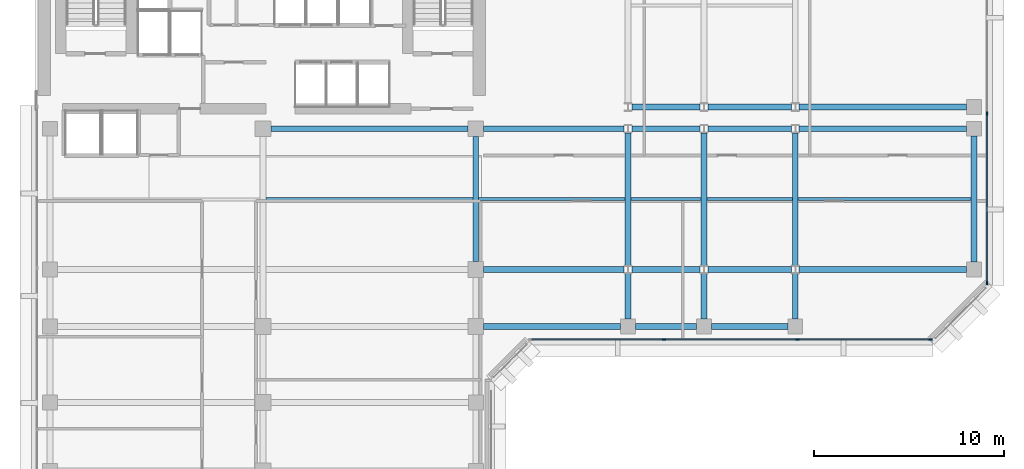
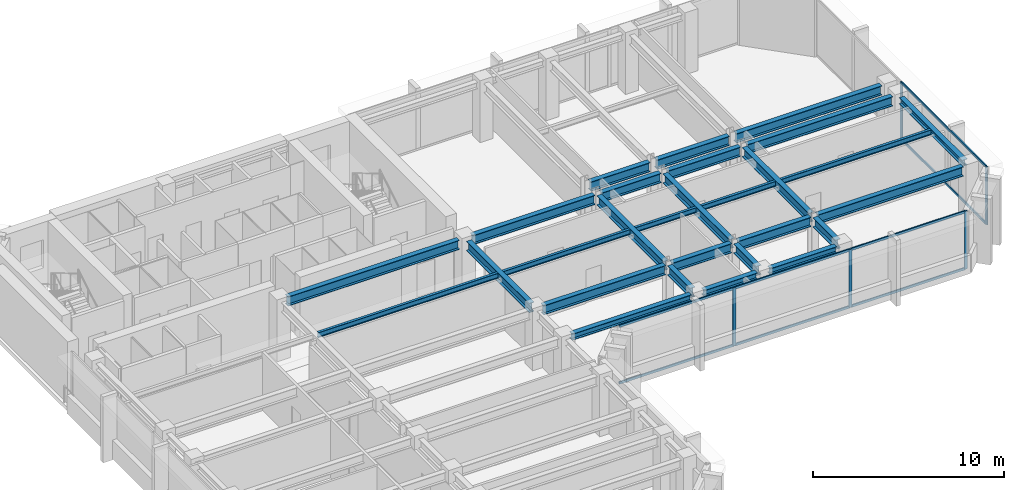
# One storey, part 3 of 12: 28 beams, 13 members, 2 elements without a shape of their own.
"""IFC4 building model written with IfcOpenShell, lengths in metres."""

from ifc_helpers import new_model, si_unit, direction, frame, origin, origin_2d, place, context, subcontext, project, spatial, rectangle, i_section, extrude, material, layer, layer_set, material_profile, profile_set, type_object, element, aggregate, save


model = new_model("IFC4")

# Units and contexts
model_context = context("Model", 3, precision=1e-05, world=origin(), true_north=direction((0.0, 1.0)))
body_context = subcontext(model_context, "Body", "Model", "MODEL_VIEW")
ifc_project = project(units=[si_unit("LENGTHUNIT", "METRE"), si_unit("AREAUNIT", "SQUARE_METRE"), si_unit("VOLUMEUNIT", "CUBIC_METRE"), si_unit("PLANEANGLEUNIT", "RADIAN"), si_unit("MASSUNIT", "GRAM", prefix="KILO")], contexts=[model_context])

# Site, building, storey
site_placement = place(None, origin())
site = spatial("IfcSite", under=ifc_project, at=site_placement, CompositionType="ELEMENT")
building_placement = place(site_placement, origin())
building = spatial("IfcBuilding", under=site, at=building_placement, Name="Kefirva Bronze Tower", CompositionType="ELEMENT")
storey_placement = place(building_placement, frame((0.0, 0.0, 203.280029296875)))
storey = spatial("IfcBuildingStorey", under=building, at=storey_placement, Name="L49", CompositionType="ELEMENT", Elevation=203.280029296875)

# Curtain wall, members
ifc_material_1 = material(Name="Bronze anodised aluminium", Category="aluminium")
ifc_layer = layer(ifc_material_1, 0.179931640625, Name="Bronze anodised aluminium")
ifc_layer_set = layer_set([ifc_layer], Name="Bronze anodised aluminium")
curtain_wall_type = type_object("IfcCurtainWallType", Name="Unitised Bronze Ribbon Curtain Wall Zone 3", PredefinedType="USERDEFINED", material=ifc_layer_set)
curtain_wall_1_placement = place(storey_placement, origin())
curtain_wall_1 = element("IfcCurtainWall", 1, at=curtain_wall_1_placement, inside=storey, type_object=curtain_wall_type, Name="L49 Curtain Wall 2", ObjectType="UNITISED CURTAIN WALL", PredefinedType="USERDEFINED")
ifc_material_profile_1 = material_profile(ifc_material_1, rectangle(XDim=0.074951171875, YDim=0.179931640625, at=origin_2d()), Name="ALU 75x180")
ifc_profile_set_1 = profile_set([ifc_material_profile_1], Name="Bronze anodised aluminium")
member_type_1 = type_object("IfcMemberType", Name="Bronze Mullion 75x180", PredefinedType="MULLION", material=ifc_profile_set_1)
member_1_placement = place(storey_placement, frame((33.0849609375, 22.1201171875, 0.0), z_axis=(0.0, 0.0, 1.0), x_axis=(0.0, 1.0, 0.0)))
member_1 = element("IfcMember", 2, at=member_1_placement, type_object=member_type_1, Name="CW-03 mullion 2", PredefinedType="MULLION", context=body_context, shape_type="SweptSolid", body=[
    extrude(rectangle(XDim=0.074951171875, YDim=0.179931640625, at=origin_2d()), origin(), (0.0, 0.0, 1.0), 3.7099609375),
])
member_2_placement = place(storey_placement, frame((40.114990234375, 22.1201171875, 0.0), z_axis=(0.0, 0.0, 1.0), x_axis=(0.0, 1.0, 0.0)))
member_2 = element("IfcMember", 3, at=member_2_placement, type_object=member_type_1, Name="CW-03 mullion 3", PredefinedType="MULLION", context=body_context, shape_type="SweptSolid", body=[
    extrude(rectangle(XDim=0.074951171875, YDim=0.179931640625, at=origin_2d()), origin(), (0.0, 0.0, 1.0), 3.7099609375),
])
member_3_placement = place(storey_placement, frame((47.107421875, 22.1201171875, 0.0), z_axis=(0.0, 0.0, 1.0), x_axis=(0.0, 1.0, 0.0)))
member_3 = element("IfcMember", 4, at=member_3_placement, type_object=member_type_1, Name="CW-03 mullion 4", PredefinedType="MULLION", context=body_context, shape_type="SweptSolid", body=[
    extrude(rectangle(XDim=0.074951171875, YDim=0.179931640625, at=origin_2d()), origin(), (0.0, 0.0, 1.0), 3.7099609375),
])

curtain_wall_2_placement = place(storey_placement, origin())
curtain_wall_2 = element("IfcCurtainWall", 5, at=curtain_wall_2_placement, inside=storey, type_object=curtain_wall_type, Name="L49 Curtain Wall 3", ObjectType="UNITISED CURTAIN WALL", PredefinedType="USERDEFINED")
member_4_placement = place(storey_placement, frame((50.080078125, 25.092529296875, 0.0), z_axis=(0.0, 0.0, 1.0), x_axis=(-1.0, 0.0, 0.0)))
member_4 = element("IfcMember", 6, at=member_4_placement, type_object=member_type_1, Name="CW-03 mullion 1", PredefinedType="MULLION", context=body_context, shape_type="SweptSolid", body=[
    extrude(rectangle(XDim=0.074951171875, YDim=0.179931640625, at=origin_2d()), origin(), (0.0, 0.0, 1.0), 3.7099609375),
])
member_5_placement = place(storey_placement, frame((50.080078125, 34.0, 0.0), z_axis=(0.0, 0.0, 1.0), x_axis=(-1.0, 0.0, 0.0)))
member_5 = element("IfcMember", 7, at=member_5_placement, type_object=member_type_1, Name="CW-03 mullion 2", PredefinedType="MULLION", context=body_context, shape_type="SweptSolid", body=[
    extrude(rectangle(XDim=0.074951171875, YDim=0.179931640625, at=origin_2d()), origin(), (0.0, 0.0, 1.0), 3.7099609375),
])

# Member
ifc_material_profile_2 = material_profile(ifc_material_1, rectangle(XDim=0.074951171875, YDim=0.14990234375, at=origin_2d()), Name="ALU 75x150")
ifc_profile_set_2 = profile_set([ifc_material_profile_2], Name="Bronze anodised aluminium")
member_type_2 = type_object("IfcMemberType", Name="Bronze Transom 75x150", PredefinedType="USERDEFINED", material=ifc_profile_set_2)
member_6_placement = place(storey_placement, frame((26.1298828125, 22.1201171875, 0.037353515625), z_axis=(1.0, 0.0, 0.0), x_axis=(0.0, 1.0, 0.0)))
member_6 = element("IfcMember", 8, at=member_6_placement, type_object=member_type_2, Name="CW-03 transom 1.1", ObjectType="TRANSOM", PredefinedType="USERDEFINED", context=body_context, shape_type="SweptSolid", body=[
    extrude(rectangle(XDim=0.074951171875, YDim=0.14990234375, at=origin_2d()), origin(), (0.0, 0.0, 1.0), 6.917724609375),
])

member_7_placement = place(storey_placement, frame((26.1298828125, 22.1201171875, 3.67236328125), z_axis=(1.0, 0.0, 0.0), x_axis=(0.0, 1.0, 0.0)))
member_7 = element("IfcMember", 9, at=member_7_placement, type_object=member_type_2, Name="CW-03 transom 1.2", ObjectType="TRANSOM", PredefinedType="USERDEFINED", context=body_context, shape_type="SweptSolid", body=[
    extrude(rectangle(XDim=0.074951171875, YDim=0.14990234375, at=origin_2d()), origin(), (0.0, 0.0, 1.0), 6.917724609375),
])

member_8_placement = place(storey_placement, frame((33.12255859375, 22.1201171875, 0.037353515625), z_axis=(1.0, 0.0, 0.0), x_axis=(0.0, 1.0, 0.0)))
member_8 = element("IfcMember", 10, at=member_8_placement, type_object=member_type_2, Name="CW-03 transom 2.1", ObjectType="TRANSOM", PredefinedType="USERDEFINED", context=body_context, shape_type="SweptSolid", body=[
    extrude(rectangle(XDim=0.074951171875, YDim=0.14990234375, at=origin_2d()), origin(), (0.0, 0.0, 1.0), 6.954833984375),
])

member_9_placement = place(storey_placement, frame((33.12255859375, 22.1201171875, 3.67236328125), z_axis=(1.0, 0.0, 0.0), x_axis=(0.0, 1.0, 0.0)))
member_9 = element("IfcMember", 11, at=member_9_placement, type_object=member_type_2, Name="CW-03 transom 2.2", ObjectType="TRANSOM", PredefinedType="USERDEFINED", context=body_context, shape_type="SweptSolid", body=[
    extrude(rectangle(XDim=0.074951171875, YDim=0.14990234375, at=origin_2d()), origin(), (0.0, 0.0, 1.0), 6.954833984375),
])

member_10_placement = place(storey_placement, frame((40.152587890625, 22.1201171875, 0.037353515625), z_axis=(1.0, 0.0, 0.0), x_axis=(0.0, 1.0, 0.0)))
member_10 = element("IfcMember", 12, at=member_10_placement, type_object=member_type_2, Name="CW-03 transom 3.1", ObjectType="TRANSOM", PredefinedType="USERDEFINED", context=body_context, shape_type="SweptSolid", body=[
    extrude(rectangle(XDim=0.074951171875, YDim=0.14990234375, at=origin_2d()), origin(), (0.0, 0.0, 1.0), 6.91748046875),
])

member_11_placement = place(storey_placement, frame((40.152587890625, 22.1201171875, 3.67236328125), z_axis=(1.0, 0.0, 0.0), x_axis=(0.0, 1.0, 0.0)))
member_11 = element("IfcMember", 13, at=member_11_placement, type_object=member_type_2, Name="CW-03 transom 3.2", ObjectType="TRANSOM", PredefinedType="USERDEFINED", context=body_context, shape_type="SweptSolid", body=[
    extrude(rectangle(XDim=0.074951171875, YDim=0.14990234375, at=origin_2d()), origin(), (0.0, 0.0, 1.0), 6.91748046875),
])

aggregate(curtain_wall_1, [member_1, member_2, member_3, member_6, member_7, member_8, member_9, member_10, member_11])

member_12_placement = place(storey_placement, frame((50.080078125, 25.1298828125, 0.037353515625), z_axis=(0.0, 1.0, 0.0), x_axis=(-1.0, 0.0, 0.0)))
member_12 = element("IfcMember", 14, at=member_12_placement, type_object=member_type_2, Name="CW-03 transom 1.1", ObjectType="TRANSOM", PredefinedType="USERDEFINED", context=body_context, shape_type="SweptSolid", body=[
    extrude(rectangle(XDim=0.074951171875, YDim=0.14990234375, at=origin_2d()), origin(), (0.0, 0.0, 1.0), 8.83251953125),
])

member_13_placement = place(storey_placement, frame((50.080078125, 25.1298828125, 3.67236328125), z_axis=(0.0, 1.0, 0.0), x_axis=(-1.0, 0.0, 0.0)))
member_13 = element("IfcMember", 15, at=member_13_placement, type_object=member_type_2, Name="CW-03 transom 1.2", ObjectType="TRANSOM", PredefinedType="USERDEFINED", context=body_context, shape_type="SweptSolid", body=[
    extrude(rectangle(XDim=0.074951171875, YDim=0.14990234375, at=origin_2d()), origin(), (0.0, 0.0, 1.0), 8.83251953125),
])

aggregate(curtain_wall_2, [member_4, member_5, member_12, member_13])

# Beams
ifc_material_2 = material(Name="Steel S355", Category="steel")
ifc_material_profile_3 = material_profile(ifc_material_2, i_section(OverallWidth=0.159912109375, OverallDepth=0.330078125, WebThickness=0.007568359375, FlangeThickness=0.011474609375, at=origin_2d()), Name="IPE 330")
ifc_profile_set_3 = profile_set([ifc_material_profile_3], Name="Steel S355")
beam_type_1 = type_object("IfcBeamType", Name="Steel Floor Joist IPE 330", PredefinedType="JOIST", material=ifc_profile_set_3)
beam_1_placement = place(storey_placement, frame((12.14990234375, 29.5, 3.544921875), z_axis=(1.0, 0.0, 0.0), x_axis=(0.0, 1.0, 0.0)))
element("IfcBeam", 16, at=beam_1_placement, inside=storey, type_object=beam_type_1, Name="L49 JST-L49-12-295", PredefinedType="JOIST", context=body_context, shape_type="SweptSolid", body=[
    extrude(i_section(OverallWidth=0.159912109375, OverallDepth=0.330078125, WebThickness=0.007568359375, FlangeThickness=0.011474609375, at=origin_2d()), origin(), (0.0, 0.0, 1.0), 10.900146484375),
])
beam_2_placement = place(storey_placement, frame((23.35009765625, 29.5, 3.544921875), z_axis=(1.0, 0.0, 0.0), x_axis=(0.0, 1.0, 0.0)))
element("IfcBeam", 17, at=beam_2_placement, inside=storey, type_object=beam_type_1, Name="L49 JST-L49-23-295", PredefinedType="JOIST", context=body_context, shape_type="SweptSolid", body=[
    extrude(i_section(OverallWidth=0.159912109375, OverallDepth=0.330078125, WebThickness=0.007568359375, FlangeThickness=0.011474609375, at=origin_2d()), origin(), (0.0, 0.0, 1.0), 7.699951171875),
])
beam_3_placement = place(storey_placement, frame((31.35009765625, 29.5, 3.544921875), z_axis=(1.0, 0.0, 0.0), x_axis=(0.0, 1.0, 0.0)))
element("IfcBeam", 18, at=beam_3_placement, inside=storey, type_object=beam_type_1, Name="L49 JST-L49-31-295", PredefinedType="JOIST", context=body_context, shape_type="SweptSolid", body=[
    extrude(i_section(OverallWidth=0.159912109375, OverallDepth=0.330078125, WebThickness=0.007568359375, FlangeThickness=0.011474609375, at=origin_2d()), origin(), (0.0, 0.0, 1.0), 3.699951171875),
])
beam_4_placement = place(storey_placement, frame((35.35009765625, 29.5, 3.544921875), z_axis=(1.0, 0.0, 0.0), x_axis=(0.0, 1.0, 0.0)))
element("IfcBeam", 19, at=beam_4_placement, inside=storey, type_object=beam_type_1, Name="L49 JST-L49-35-295", PredefinedType="JOIST", context=body_context, shape_type="SweptSolid", body=[
    extrude(i_section(OverallWidth=0.159912109375, OverallDepth=0.330078125, WebThickness=0.007568359375, FlangeThickness=0.011474609375, at=origin_2d()), origin(), (0.0, 0.0, 1.0), 4.5),
])
beam_5_placement = place(storey_placement, frame((40.14990234375, 29.5, 3.544921875), z_axis=(1.0, 0.0, 0.0), x_axis=(0.0, 1.0, 0.0)))
element("IfcBeam", 20, at=beam_5_placement, inside=storey, type_object=beam_type_1, Name="L49 JST-L49-40-295", PredefinedType="JOIST", context=body_context, shape_type="SweptSolid", body=[
    extrude(i_section(OverallWidth=0.159912109375, OverallDepth=0.330078125, WebThickness=0.007568359375, FlangeThickness=0.011474609375, at=origin_2d()), origin(), (0.0, 0.0, 1.0), 9.10009765625),
])
ifc_material_profile_4 = material_profile(ifc_material_2, i_section(OverallWidth=0.300048828125, OverallDepth=0.60009765625, WebThickness=0.015380859375, FlangeThickness=0.030029296875, at=origin_2d()), Name="HEB 600")
ifc_profile_set_4 = profile_set([ifc_material_profile_4], Name="Steel S355")
beam_type_2 = type_object("IfcBeamType", Name="Steel Girder HEB 600", PredefinedType="USERDEFINED", material=ifc_profile_set_4)
beam_6_placement = place(storey_placement, frame((23.610107421875, 25.800048828125, 3.409912109375), z_axis=(1.0, 0.0, 0.0), x_axis=(0.0, 1.0, 0.0)))
element("IfcBeam", 21, at=beam_6_placement, inside=storey, type_object=beam_type_2, Name="L49 BM-L49-EW-23-258", ObjectType="GIRDER", PredefinedType="USERDEFINED", context=body_context, shape_type="SweptSolid", body=[
    extrude(i_section(OverallWidth=0.300048828125, OverallDepth=0.60009765625, WebThickness=0.015380859375, FlangeThickness=0.030029296875, at=origin_2d()), origin(), (0.0, 0.0, 1.0), 7.3837890625),
])
beam_7_placement = place(storey_placement, frame((31.406005859375, 25.800048828125, 3.409912109375), z_axis=(1.0, 0.0, 0.0), x_axis=(0.0, 1.0, 0.0)))
element("IfcBeam", 22, at=beam_7_placement, inside=storey, type_object=beam_type_2, Name="L49 BM-L49-EW-31-258", ObjectType="GIRDER", PredefinedType="USERDEFINED", context=body_context, shape_type="SweptSolid", body=[
    extrude(i_section(OverallWidth=0.300048828125, OverallDepth=0.60009765625, WebThickness=0.015380859375, FlangeThickness=0.030029296875, at=origin_2d()), origin(), (0.0, 0.0, 1.0), 3.587890625),
])
beam_8_placement = place(storey_placement, frame((35.406005859375, 25.800048828125, 3.409912109375), z_axis=(1.0, 0.0, 0.0), x_axis=(0.0, 1.0, 0.0)))
element("IfcBeam", 23, at=beam_8_placement, inside=storey, type_object=beam_type_2, Name="L49 BM-L49-EW-35-258", ObjectType="GIRDER", PredefinedType="USERDEFINED", context=body_context, shape_type="SweptSolid", body=[
    extrude(i_section(OverallWidth=0.300048828125, OverallDepth=0.60009765625, WebThickness=0.015380859375, FlangeThickness=0.030029296875, at=origin_2d()), origin(), (0.0, 0.0, 1.0), 4.387939453125),
])
beam_9_placement = place(storey_placement, frame((40.2060546875, 25.800048828125, 3.409912109375), z_axis=(1.0, 0.0, 0.0), x_axis=(0.0, 1.0, 0.0)))
element("IfcBeam", 24, at=beam_9_placement, inside=storey, type_object=beam_type_2, Name="L49 BM-L49-EW-40-258", ObjectType="GIRDER", PredefinedType="USERDEFINED", context=body_context, shape_type="SweptSolid", body=[
    extrude(i_section(OverallWidth=0.300048828125, OverallDepth=0.60009765625, WebThickness=0.015380859375, FlangeThickness=0.030029296875, at=origin_2d()), origin(), (0.0, 0.0, 1.0), 8.803955078125),
])
beam_10_placement = place(storey_placement, frame((12.409912109375, 33.199951171875, 3.409912109375), z_axis=(1.0, 0.0, 0.0), x_axis=(0.0, 1.0, 0.0)))
element("IfcBeam", 25, at=beam_10_placement, inside=storey, type_object=beam_type_2, Name="L49 BM-L49-EW-12-332", ObjectType="GIRDER", PredefinedType="USERDEFINED", context=body_context, shape_type="SweptSolid", body=[
    extrude(i_section(OverallWidth=0.300048828125, OverallDepth=0.60009765625, WebThickness=0.015380859375, FlangeThickness=0.030029296875, at=origin_2d()), origin(), (0.0, 0.0, 1.0), 10.380126953125),
])
beam_11_placement = place(storey_placement, frame((23.610107421875, 33.199951171875, 3.409912109375), z_axis=(1.0, 0.0, 0.0), x_axis=(0.0, 1.0, 0.0)))
element("IfcBeam", 26, at=beam_11_placement, inside=storey, type_object=beam_type_2, Name="L49 BM-L49-EW-23-332", ObjectType="GIRDER", PredefinedType="USERDEFINED", context=body_context, shape_type="SweptSolid", body=[
    extrude(i_section(OverallWidth=0.300048828125, OverallDepth=0.60009765625, WebThickness=0.015380859375, FlangeThickness=0.030029296875, at=origin_2d()), origin(), (0.0, 0.0, 1.0), 7.3837890625),
])
beam_12_placement = place(storey_placement, frame((31.406005859375, 33.199951171875, 3.409912109375), z_axis=(1.0, 0.0, 0.0), x_axis=(0.0, 1.0, 0.0)))
element("IfcBeam", 27, at=beam_12_placement, inside=storey, type_object=beam_type_2, Name="L49 BM-L49-EW-31-332", ObjectType="GIRDER", PredefinedType="USERDEFINED", context=body_context, shape_type="SweptSolid", body=[
    extrude(i_section(OverallWidth=0.300048828125, OverallDepth=0.60009765625, WebThickness=0.015380859375, FlangeThickness=0.030029296875, at=origin_2d()), origin(), (0.0, 0.0, 1.0), 3.587890625),
])
beam_13_placement = place(storey_placement, frame((35.406005859375, 33.199951171875, 3.409912109375), z_axis=(1.0, 0.0, 0.0), x_axis=(0.0, 1.0, 0.0)))
element("IfcBeam", 28, at=beam_13_placement, inside=storey, type_object=beam_type_2, Name="L49 BM-L49-EW-35-332", ObjectType="GIRDER", PredefinedType="USERDEFINED", context=body_context, shape_type="SweptSolid", body=[
    extrude(i_section(OverallWidth=0.300048828125, OverallDepth=0.60009765625, WebThickness=0.015380859375, FlangeThickness=0.030029296875, at=origin_2d()), origin(), (0.0, 0.0, 1.0), 4.387939453125),
])
beam_14_placement = place(storey_placement, frame((40.2060546875, 33.199951171875, 3.409912109375), z_axis=(1.0, 0.0, 0.0), x_axis=(0.0, 1.0, 0.0)))
element("IfcBeam", 29, at=beam_14_placement, inside=storey, type_object=beam_type_2, Name="L49 BM-L49-EW-40-332", ObjectType="GIRDER", PredefinedType="USERDEFINED", context=body_context, shape_type="SweptSolid", body=[
    extrude(i_section(OverallWidth=0.300048828125, OverallDepth=0.60009765625, WebThickness=0.015380859375, FlangeThickness=0.030029296875, at=origin_2d()), origin(), (0.0, 0.0, 1.0), 8.803955078125),
])
beam_15_placement = place(storey_placement, frame((31.406005859375, 34.35009765625, 3.409912109375), z_axis=(1.0, 0.0, 0.0), x_axis=(0.0, 1.0, 0.0)))
element("IfcBeam", 30, at=beam_15_placement, inside=storey, type_object=beam_type_2, Name="L49 BM-L49-EW-31-344", ObjectType="GIRDER", PredefinedType="USERDEFINED", context=body_context, shape_type="SweptSolid", body=[
    extrude(i_section(OverallWidth=0.300048828125, OverallDepth=0.60009765625, WebThickness=0.015380859375, FlangeThickness=0.030029296875, at=origin_2d()), origin(), (0.0, 0.0, 1.0), 3.587890625),
])
beam_16_placement = place(storey_placement, frame((35.406005859375, 34.35009765625, 3.409912109375), z_axis=(1.0, 0.0, 0.0), x_axis=(0.0, 1.0, 0.0)))
element("IfcBeam", 31, at=beam_16_placement, inside=storey, type_object=beam_type_2, Name="L49 BM-L49-EW-35-344", ObjectType="GIRDER", PredefinedType="USERDEFINED", context=body_context, shape_type="SweptSolid", body=[
    extrude(i_section(OverallWidth=0.300048828125, OverallDepth=0.60009765625, WebThickness=0.015380859375, FlangeThickness=0.030029296875, at=origin_2d()), origin(), (0.0, 0.0, 1.0), 4.387939453125),
])
beam_17_placement = place(storey_placement, frame((40.2060546875, 34.35009765625, 3.409912109375), z_axis=(1.0, 0.0, 0.0), x_axis=(0.0, 1.0, 0.0)))
element("IfcBeam", 32, at=beam_17_placement, inside=storey, type_object=beam_type_2, Name="L49 BM-L49-EW-40-344", ObjectType="GIRDER", PredefinedType="USERDEFINED", context=body_context, shape_type="SweptSolid", body=[
    extrude(i_section(OverallWidth=0.300048828125, OverallDepth=0.60009765625, WebThickness=0.015380859375, FlangeThickness=0.030029296875, at=origin_2d()), origin(), (0.0, 0.0, 1.0), 8.803955078125),
])
beam_18_placement = place(storey_placement, frame((23.199951171875, 26.2099609375, 3.409912109375), z_axis=(0.0, 1.0, 0.0), x_axis=(-1.0, 0.0, 0.0)))
element("IfcBeam", 33, at=beam_18_placement, inside=storey, type_object=beam_type_2, Name="L49 BM-L49-NS-232-25", ObjectType="GIRDER", PredefinedType="USERDEFINED", context=body_context, shape_type="SweptSolid", body=[
    extrude(i_section(OverallWidth=0.300048828125, OverallDepth=0.60009765625, WebThickness=0.015380859375, FlangeThickness=0.030029296875, at=origin_2d()), origin(), (0.0, 0.0, 1.0), 6.580078125),
])
beam_19_placement = place(storey_placement, frame((31.199951171875, 23.18994140625, 3.409912109375), z_axis=(0.0, 1.0, 0.0), x_axis=(-1.0, 0.0, 0.0)))
element("IfcBeam", 34, at=beam_19_placement, inside=storey, type_object=beam_type_2, Name="L49 BM-L49-NS-312-22", ObjectType="GIRDER", PredefinedType="USERDEFINED", context=body_context, shape_type="SweptSolid", body=[
    extrude(i_section(OverallWidth=0.300048828125, OverallDepth=0.60009765625, WebThickness=0.015380859375, FlangeThickness=0.030029296875, at=origin_2d()), origin(), (0.0, 0.0, 1.0), 2.392578125),
])
beam_20_placement = place(storey_placement, frame((31.199951171875, 26.017578125, 3.409912109375), z_axis=(0.0, 1.0, 0.0), x_axis=(-1.0, 0.0, 0.0)))
element("IfcBeam", 35, at=beam_20_placement, inside=storey, type_object=beam_type_2, Name="L49 BM-L49-NS-312-25", ObjectType="GIRDER", PredefinedType="USERDEFINED", context=body_context, shape_type="SweptSolid", body=[
    extrude(i_section(OverallWidth=0.300048828125, OverallDepth=0.60009765625, WebThickness=0.015380859375, FlangeThickness=0.030029296875, at=origin_2d()), origin(), (0.0, 0.0, 1.0), 6.96484375),
])
beam_21_placement = place(storey_placement, frame((35.199951171875, 23.18994140625, 3.409912109375), z_axis=(0.0, 1.0, 0.0), x_axis=(-1.0, 0.0, 0.0)))
element("IfcBeam", 36, at=beam_21_placement, inside=storey, type_object=beam_type_2, Name="L49 BM-L49-NS-352-22", ObjectType="GIRDER", PredefinedType="USERDEFINED", context=body_context, shape_type="SweptSolid", body=[
    extrude(i_section(OverallWidth=0.300048828125, OverallDepth=0.60009765625, WebThickness=0.015380859375, FlangeThickness=0.030029296875, at=origin_2d()), origin(), (0.0, 0.0, 1.0), 2.392578125),
])
beam_22_placement = place(storey_placement, frame((35.199951171875, 26.017578125, 3.409912109375), z_axis=(0.0, 1.0, 0.0), x_axis=(-1.0, 0.0, 0.0)))
element("IfcBeam", 37, at=beam_22_placement, inside=storey, type_object=beam_type_2, Name="L49 BM-L49-NS-352-25", ObjectType="GIRDER", PredefinedType="USERDEFINED", context=body_context, shape_type="SweptSolid", body=[
    extrude(i_section(OverallWidth=0.300048828125, OverallDepth=0.60009765625, WebThickness=0.015380859375, FlangeThickness=0.030029296875, at=origin_2d()), origin(), (0.0, 0.0, 1.0), 6.96484375),
])
beam_23_placement = place(storey_placement, frame((40.0, 23.18994140625, 3.409912109375), z_axis=(0.0, 1.0, 0.0), x_axis=(-1.0, 0.0, 0.0)))
element("IfcBeam", 38, at=beam_23_placement, inside=storey, type_object=beam_type_2, Name="L49 BM-L49-NS-400-22", ObjectType="GIRDER", PredefinedType="USERDEFINED", context=body_context, shape_type="SweptSolid", body=[
    extrude(i_section(OverallWidth=0.300048828125, OverallDepth=0.60009765625, WebThickness=0.015380859375, FlangeThickness=0.030029296875, at=origin_2d()), origin(), (0.0, 0.0, 1.0), 2.392578125),
])
beam_24_placement = place(storey_placement, frame((40.0, 26.017578125, 3.409912109375), z_axis=(0.0, 1.0, 0.0), x_axis=(-1.0, 0.0, 0.0)))
element("IfcBeam", 39, at=beam_24_placement, inside=storey, type_object=beam_type_2, Name="L49 BM-L49-NS-400-25", ObjectType="GIRDER", PredefinedType="USERDEFINED", context=body_context, shape_type="SweptSolid", body=[
    extrude(i_section(OverallWidth=0.300048828125, OverallDepth=0.60009765625, WebThickness=0.015380859375, FlangeThickness=0.030029296875, at=origin_2d()), origin(), (0.0, 0.0, 1.0), 6.96484375),
])
ifc_material_profile_5 = material_profile(ifc_material_2, i_section(OverallWidth=0.300048828125, OverallDepth=0.39990234375, WebThickness=0.013427734375, FlangeThickness=0.02392578125, at=origin_2d()), Name="HEB 400")
ifc_profile_set_5 = profile_set([ifc_material_profile_5], Name="Steel S355")
beam_type_3 = type_object("IfcBeamType", Name="Steel Spandrel HEB 400 Ext", PredefinedType="SPANDREL", material=ifc_profile_set_5)
beam_25_placement = place(storey_placement, frame((23.610107421875, 22.800048828125, 3.510009765625), z_axis=(1.0, 0.0, 0.0), x_axis=(0.0, 1.0, 0.0)))
element("IfcBeam", 40, at=beam_25_placement, inside=storey, type_object=beam_type_3, Name="L49 BM-L49-EW-23-228", PredefinedType="SPANDREL", context=body_context, shape_type="SweptSolid", body=[
    extrude(i_section(OverallWidth=0.300048828125, OverallDepth=0.39990234375, WebThickness=0.013427734375, FlangeThickness=0.02392578125, at=origin_2d()), origin(), (0.0, 0.0, 1.0), 7.199951171875),
])
beam_26_placement = place(storey_placement, frame((31.590087890625, 22.800048828125, 3.510009765625), z_axis=(1.0, 0.0, 0.0), x_axis=(0.0, 1.0, 0.0)))
element("IfcBeam", 41, at=beam_26_placement, inside=storey, type_object=beam_type_3, Name="L49 BM-L49-EW-31-228", PredefinedType="SPANDREL", context=body_context, shape_type="SweptSolid", body=[
    extrude(i_section(OverallWidth=0.300048828125, OverallDepth=0.39990234375, WebThickness=0.013427734375, FlangeThickness=0.02392578125, at=origin_2d()), origin(), (0.0, 0.0, 1.0), 3.219970703125),
])
beam_27_placement = place(storey_placement, frame((35.590087890625, 22.800048828125, 3.510009765625), z_axis=(1.0, 0.0, 0.0), x_axis=(0.0, 1.0, 0.0)))
element("IfcBeam", 42, at=beam_27_placement, inside=storey, type_object=beam_type_3, Name="L49 BM-L49-EW-35-228", PredefinedType="SPANDREL", context=body_context, shape_type="SweptSolid", body=[
    extrude(i_section(OverallWidth=0.300048828125, OverallDepth=0.39990234375, WebThickness=0.013427734375, FlangeThickness=0.02392578125, at=origin_2d()), origin(), (0.0, 0.0, 1.0), 4.02001953125),
])
beam_28_placement = place(storey_placement, frame((49.39990234375, 26.18994140625, 3.510009765625), z_axis=(0.0, 1.0, 0.0), x_axis=(-1.0, 0.0, 0.0)))
element("IfcBeam", 43, at=beam_28_placement, inside=storey, type_object=beam_type_3, Name="L49 BM-L49-NS-494-25", PredefinedType="SPANDREL", context=body_context, shape_type="SweptSolid", body=[
    extrude(i_section(OverallWidth=0.300048828125, OverallDepth=0.39990234375, WebThickness=0.013427734375, FlangeThickness=0.02392578125, at=origin_2d()), origin(), (0.0, 0.0, 1.0), 6.6201171875),
])

save(model, "model.ifc")
